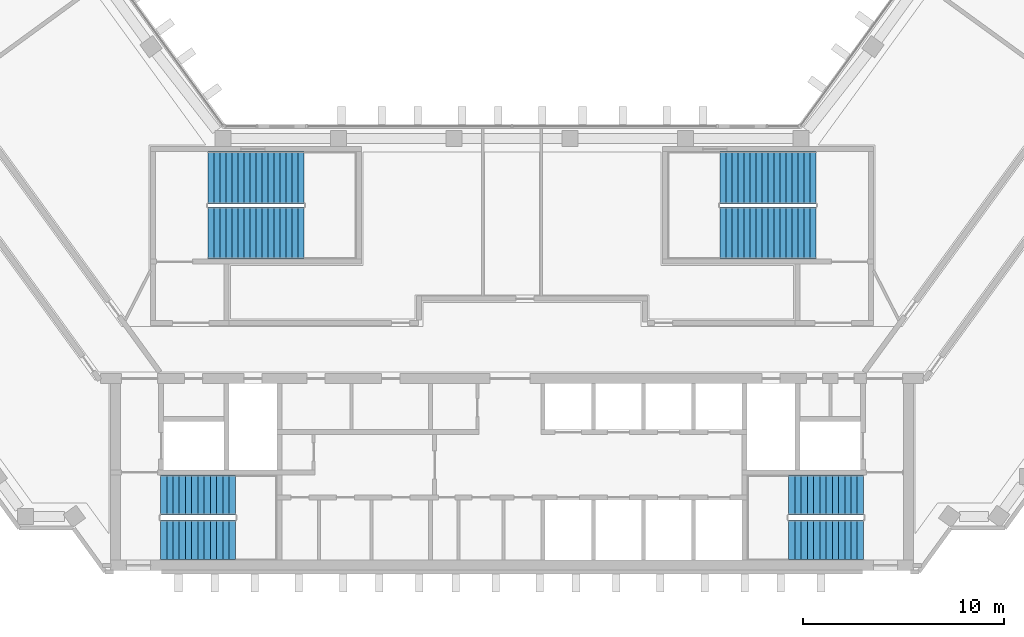
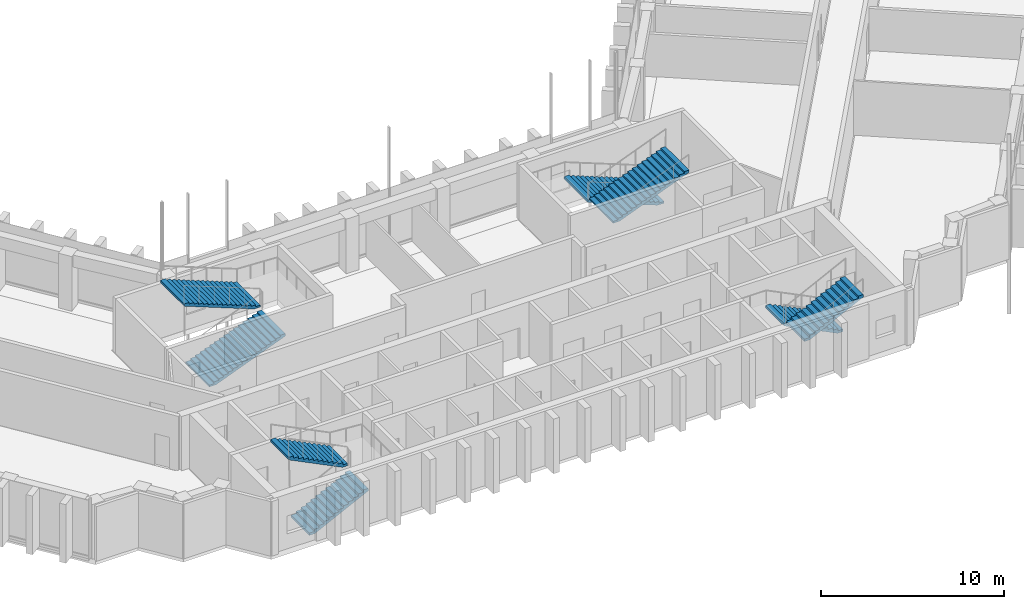
# One storey, part 11 of 13: 8 stair flights, 4 elements without a shape of their own.
"""IFC4 building model written with IfcOpenShell, lengths in metres."""

from ifc_helpers import new_model, si_unit, direction, frame, origin, place, context, subcontext, project, spatial, polyline, outline, extrude, material, type_object, element, aggregate, save


model = new_model("IFC4")

# Units and contexts
model_context = context("Model", 3, precision=1e-05, world=origin(), true_north=direction((0.0, 1.0)))
body_context = subcontext(model_context, "Body", "Model", "MODEL_VIEW")
ifc_project = project(units=[si_unit("LENGTHUNIT", "METRE"), si_unit("AREAUNIT", "SQUARE_METRE"), si_unit("VOLUMEUNIT", "CUBIC_METRE"), si_unit("PLANEANGLEUNIT", "RADIAN"), si_unit("MASSUNIT", "GRAM", prefix="KILO")], contexts=[model_context])

# Site, building, storey
site_placement = place(None, origin())
site = spatial("IfcSite", under=ifc_project, at=site_placement, CompositionType="ELEMENT")
building_placement = place(site_placement, origin())
building = spatial("IfcBuilding", under=site, at=building_placement, Name="Quipu Civic Tower", CompositionType="ELEMENT")
storey_placement = place(building_placement, frame((0.0, 0.0, 148.0)))
storey = spatial("IfcBuildingStorey", under=building, at=storey_placement, Name="L34", CompositionType="ELEMENT", Elevation=148.0)

# Stair, stair flights
ifc_material_1 = material(Name="Concrete C40/50", Category="concrete")
stair_type_1 = type_object("IfcStairType", Name="Half turn stair 2000", PredefinedType="HALF_TURN_STAIR", material=ifc_material_1)
stair_1_placement = place(storey_placement, origin())
stair_1 = element("IfcStair", 1, at=stair_1_placement, inside=storey, type_object=stair_type_1, Name="Exit stair 1", PredefinedType="HALF_TURN_STAIR")
ifc_material_2 = material(Name="Concrete C40/50", Category="concrete")
stair_flight_type_1 = type_object("IfcStairFlightType", Name="Stair flight 2000", PredefinedType="STRAIGHT", material=ifc_material_2)
stair_flight_1_placement = place(storey_placement, frame((-17.5, -9.5, 0.0), z_axis=(0.0, 0.0, 1.0), x_axis=(1.0, 0.0, 0.0)))
stair_flight_1 = element("IfcStairFlight", 2, at=stair_flight_1_placement, type_object=stair_flight_type_1, Name="ST-1 flight 1", NumberOfRisers=13, NumberOfTreads=12, PredefinedType="STRAIGHT", RiserHeight=0.153846154, TreadLength=0.31, context=body_context, shape_type="SweptSolid", body=[
    extrude(outline(polyline([(0.0, 0.0), (0.0, 0.15380859375), (0.31005859375, 0.15380859375), (0.31005859375, 0.3076171875), (0.6201171875, 0.3076171875), (0.6201171875, 0.46142578125), (0.929931640625, 0.46142578125), (0.929931640625, 0.615478515625), (1.239990234375, 0.615478515625), (1.239990234375, 0.769287109375), (1.550048828125, 0.769287109375), (1.550048828125, 0.923095703125), (1.860107421875, 0.923095703125), (1.860107421875, 1.076904296875), (2.169921875, 1.076904296875), (2.169921875, 1.230712890625), (2.47998046875, 1.230712890625), (2.47998046875, 1.384521484375), (2.7900390625, 1.384521484375), (2.7900390625, 1.53857421875), (3.10009765625, 1.53857421875), (3.10009765625, 1.6923828125), (3.409912109375, 1.6923828125), (3.409912109375, 1.84619140625), (3.719970703125, 1.84619140625), (3.719970703125, 2.0), (3.719970703125, 1.6787109375), (0.337158203125, 0.0), (0.0, 0.0)])), frame((0.0, 1.0, 0.0), z_axis=(0.0, -1.0, 0.0), x_axis=(1.0, 0.0, 0.0)), (0.0, 0.0, 1.0), 2.0),
])
stair_flight_2_placement = place(storey_placement, frame((-13.780029296875, -7.25, 2.0), z_axis=(0.0, 0.0, 1.0), x_axis=(-1.0, 0.0, 0.0)))
stair_flight_2 = element("IfcStairFlight", 3, at=stair_flight_2_placement, type_object=stair_flight_type_1, Name="ST-1 flight 2", NumberOfRisers=13, NumberOfTreads=12, PredefinedType="STRAIGHT", RiserHeight=0.153846154, TreadLength=0.31, context=body_context, shape_type="SweptSolid", body=[
    extrude(outline(polyline([(0.0, 0.0), (0.0, 0.15380859375), (0.31005859375, 0.15380859375), (0.31005859375, 0.3076171875), (0.6201171875, 0.3076171875), (0.6201171875, 0.46142578125), (0.929931640625, 0.46142578125), (0.929931640625, 0.615478515625), (1.239990234375, 0.615478515625), (1.239990234375, 0.769287109375), (1.550048828125, 0.769287109375), (1.550048828125, 0.923095703125), (1.860107421875, 0.923095703125), (1.860107421875, 1.076904296875), (2.169921875, 1.076904296875), (2.169921875, 1.230712890625), (2.47998046875, 1.230712890625), (2.47998046875, 1.384521484375), (2.7900390625, 1.384521484375), (2.7900390625, 1.53857421875), (3.10009765625, 1.53857421875), (3.10009765625, 1.6923828125), (3.409912109375, 1.6923828125), (3.409912109375, 1.84619140625), (3.719970703125, 1.84619140625), (3.719970703125, 2.0), (3.719970703125, 1.6787109375), (0.337158203125, 0.0), (0.0, 0.0)])), frame((0.0, 1.0, 0.0), z_axis=(0.0, -1.0, 0.0), x_axis=(1.0, 0.0, 0.0)), (0.0, 0.0, 1.0), 2.0),
])
aggregate(stair_1, [stair_flight_1, stair_flight_2])

stair_2_placement = place(storey_placement, origin())
stair_2 = element("IfcStair", 4, at=stair_2_placement, inside=storey, type_object=stair_type_1, Name="Exit stair 2", PredefinedType="HALF_TURN_STAIR")
stair_flight_3_placement = place(storey_placement, frame((17.5, -7.25, 0.0), z_axis=(0.0, 0.0, 1.0), x_axis=(-1.0, 0.0, 0.0)))
stair_flight_3 = element("IfcStairFlight", 5, at=stair_flight_3_placement, type_object=stair_flight_type_1, Name="ST-2 flight 1", NumberOfRisers=13, NumberOfTreads=12, PredefinedType="STRAIGHT", RiserHeight=0.153846154, TreadLength=0.31, context=body_context, shape_type="SweptSolid", body=[
    extrude(outline(polyline([(0.0, 0.0), (0.0, 0.15380859375), (0.31005859375, 0.15380859375), (0.31005859375, 0.3076171875), (0.6201171875, 0.3076171875), (0.6201171875, 0.46142578125), (0.929931640625, 0.46142578125), (0.929931640625, 0.615478515625), (1.239990234375, 0.615478515625), (1.239990234375, 0.769287109375), (1.550048828125, 0.769287109375), (1.550048828125, 0.923095703125), (1.860107421875, 0.923095703125), (1.860107421875, 1.076904296875), (2.169921875, 1.076904296875), (2.169921875, 1.230712890625), (2.47998046875, 1.230712890625), (2.47998046875, 1.384521484375), (2.7900390625, 1.384521484375), (2.7900390625, 1.53857421875), (3.10009765625, 1.53857421875), (3.10009765625, 1.6923828125), (3.409912109375, 1.6923828125), (3.409912109375, 1.84619140625), (3.719970703125, 1.84619140625), (3.719970703125, 2.0), (3.719970703125, 1.6787109375), (0.337158203125, 0.0), (0.0, 0.0)])), frame((0.0, 1.0, 0.0), z_axis=(0.0, -1.0, 0.0), x_axis=(1.0, 0.0, 0.0)), (0.0, 0.0, 1.0), 2.0),
])
stair_flight_4_placement = place(storey_placement, frame((13.780029296875, -9.5, 2.0), z_axis=(0.0, 0.0, 1.0), x_axis=(1.0, 0.0, 0.0)))
stair_flight_4 = element("IfcStairFlight", 6, at=stair_flight_4_placement, type_object=stair_flight_type_1, Name="ST-2 flight 2", NumberOfRisers=13, NumberOfTreads=12, PredefinedType="STRAIGHT", RiserHeight=0.153846154, TreadLength=0.31, context=body_context, shape_type="SweptSolid", body=[
    extrude(outline(polyline([(0.0, 0.0), (0.0, 0.15380859375), (0.31005859375, 0.15380859375), (0.31005859375, 0.3076171875), (0.6201171875, 0.3076171875), (0.6201171875, 0.46142578125), (0.929931640625, 0.46142578125), (0.929931640625, 0.615478515625), (1.239990234375, 0.615478515625), (1.239990234375, 0.769287109375), (1.550048828125, 0.769287109375), (1.550048828125, 0.923095703125), (1.860107421875, 0.923095703125), (1.860107421875, 1.076904296875), (2.169921875, 1.076904296875), (2.169921875, 1.230712890625), (2.47998046875, 1.230712890625), (2.47998046875, 1.384521484375), (2.7900390625, 1.384521484375), (2.7900390625, 1.53857421875), (3.10009765625, 1.53857421875), (3.10009765625, 1.6923828125), (3.409912109375, 1.6923828125), (3.409912109375, 1.84619140625), (3.719970703125, 1.84619140625), (3.719970703125, 2.0), (3.719970703125, 1.6787109375), (0.337158203125, 0.0), (0.0, 0.0)])), frame((0.0, 1.0, 0.0), z_axis=(0.0, -1.0, 0.0), x_axis=(1.0, 0.0, 0.0)), (0.0, 0.0, 1.0), 2.0),
])
aggregate(stair_2, [stair_flight_3, stair_flight_4])

ifc_material_3 = material(Name="Concrete C40/50", Category="concrete")
stair_type_2 = type_object("IfcStairType", Name="Half turn stair 2600", PredefinedType="HALF_TURN_STAIR", material=ifc_material_3)
stair_3_placement = place(storey_placement, origin())
stair_3 = element("IfcStair", 7, at=stair_3_placement, inside=storey, type_object=stair_type_2, Name="Exit stair 3", PredefinedType="HALF_TURN_STAIR")
ifc_material_4 = material(Name="Concrete C40/50", Category="concrete")
stair_flight_type_2 = type_object("IfcStairFlightType", Name="Stair flight 2600", PredefinedType="STRAIGHT", material=ifc_material_4)
stair_flight_5_placement = place(storey_placement, frame((-15.14990234375, 5.800048828125, 0.0), z_axis=(0.0, 0.0, 1.0), x_axis=(1.0, 0.0, 0.0)))
stair_flight_5 = element("IfcStairFlight", 8, at=stair_flight_5_placement, type_object=stair_flight_type_2, Name="ST-3 flight 1", NumberOfRisers=17, NumberOfTreads=16, PredefinedType="STRAIGHT", RiserHeight=0.117647059, TreadLength=0.3, context=body_context, shape_type="SweptSolid", body=[
    extrude(outline(polyline([(0.0, 0.0), (0.0, 0.11767578125), (0.300048828125, 0.11767578125), (0.300048828125, 0.2353515625), (0.60009765625, 0.2353515625), (0.60009765625, 0.35302734375), (0.89990234375, 0.35302734375), (0.89990234375, 0.470703125), (1.199951171875, 0.470703125), (1.199951171875, 0.588134765625), (1.5, 0.588134765625), (1.5, 0.705810546875), (1.800048828125, 0.705810546875), (1.800048828125, 0.823486328125), (2.10009765625, 0.823486328125), (2.10009765625, 0.941162109375), (2.39990234375, 0.941162109375), (2.39990234375, 1.058837890625), (2.699951171875, 1.058837890625), (2.699951171875, 1.176513671875), (3.0, 1.176513671875), (3.0, 1.294189453125), (3.300048828125, 1.294189453125), (3.300048828125, 1.411865234375), (3.60009765625, 1.411865234375), (3.60009765625, 1.529296875), (3.89990234375, 1.529296875), (3.89990234375, 1.64697265625), (4.199951171875, 1.64697265625), (4.199951171875, 1.7646484375), (4.5, 1.7646484375), (4.5, 1.88232421875), (4.800048828125, 1.88232421875), (4.800048828125, 2.0), (4.800048828125, 1.721435546875), (0.41064453125, 0.0), (0.0, 0.0)])), frame((0.0, 1.300048828125, 0.0), z_axis=(0.0, -1.0, 0.0), x_axis=(1.0, 0.0, 0.0)), (0.0, 0.0, 1.0), 2.60009765625),
])
stair_flight_6_placement = place(storey_placement, frame((-10.35009765625, 8.550048828125, 2.0), z_axis=(0.0, 0.0, 1.0), x_axis=(-1.0, 0.0, 0.0)))
stair_flight_6 = element("IfcStairFlight", 9, at=stair_flight_6_placement, type_object=stair_flight_type_2, Name="ST-3 flight 2", NumberOfRisers=17, NumberOfTreads=16, PredefinedType="STRAIGHT", RiserHeight=0.117647059, TreadLength=0.3, context=body_context, shape_type="SweptSolid", body=[
    extrude(outline(polyline([(0.0, 0.0), (0.0, 0.11767578125), (0.300048828125, 0.11767578125), (0.300048828125, 0.2353515625), (0.60009765625, 0.2353515625), (0.60009765625, 0.35302734375), (0.89990234375, 0.35302734375), (0.89990234375, 0.470703125), (1.199951171875, 0.470703125), (1.199951171875, 0.588134765625), (1.5, 0.588134765625), (1.5, 0.705810546875), (1.800048828125, 0.705810546875), (1.800048828125, 0.823486328125), (2.10009765625, 0.823486328125), (2.10009765625, 0.941162109375), (2.39990234375, 0.941162109375), (2.39990234375, 1.058837890625), (2.699951171875, 1.058837890625), (2.699951171875, 1.176513671875), (3.0, 1.176513671875), (3.0, 1.294189453125), (3.300048828125, 1.294189453125), (3.300048828125, 1.411865234375), (3.60009765625, 1.411865234375), (3.60009765625, 1.529296875), (3.89990234375, 1.529296875), (3.89990234375, 1.64697265625), (4.199951171875, 1.64697265625), (4.199951171875, 1.7646484375), (4.5, 1.7646484375), (4.5, 1.88232421875), (4.800048828125, 1.88232421875), (4.800048828125, 2.0), (4.800048828125, 1.721435546875), (0.41064453125, 0.0), (0.0, 0.0)])), frame((0.0, 1.300048828125, 0.0), z_axis=(0.0, -1.0, 0.0), x_axis=(1.0, 0.0, 0.0)), (0.0, 0.0, 1.0), 2.60009765625),
])
aggregate(stair_3, [stair_flight_5, stair_flight_6])

stair_4_placement = place(storey_placement, origin())
stair_4 = element("IfcStair", 10, at=stair_4_placement, inside=storey, type_object=stair_type_2, Name="Exit stair 4", PredefinedType="HALF_TURN_STAIR")
stair_flight_7_placement = place(storey_placement, frame((15.14990234375, 8.550048828125, 0.0), z_axis=(0.0, 0.0, 1.0), x_axis=(-1.0, 0.0, 0.0)))
stair_flight_7 = element("IfcStairFlight", 11, at=stair_flight_7_placement, type_object=stair_flight_type_2, Name="ST-4 flight 1", NumberOfRisers=17, NumberOfTreads=16, PredefinedType="STRAIGHT", RiserHeight=0.117647059, TreadLength=0.3, context=body_context, shape_type="SweptSolid", body=[
    extrude(outline(polyline([(0.0, 0.0), (0.0, 0.11767578125), (0.300048828125, 0.11767578125), (0.300048828125, 0.2353515625), (0.60009765625, 0.2353515625), (0.60009765625, 0.35302734375), (0.89990234375, 0.35302734375), (0.89990234375, 0.470703125), (1.199951171875, 0.470703125), (1.199951171875, 0.588134765625), (1.5, 0.588134765625), (1.5, 0.705810546875), (1.800048828125, 0.705810546875), (1.800048828125, 0.823486328125), (2.10009765625, 0.823486328125), (2.10009765625, 0.941162109375), (2.39990234375, 0.941162109375), (2.39990234375, 1.058837890625), (2.699951171875, 1.058837890625), (2.699951171875, 1.176513671875), (3.0, 1.176513671875), (3.0, 1.294189453125), (3.300048828125, 1.294189453125), (3.300048828125, 1.411865234375), (3.60009765625, 1.411865234375), (3.60009765625, 1.529296875), (3.89990234375, 1.529296875), (3.89990234375, 1.64697265625), (4.199951171875, 1.64697265625), (4.199951171875, 1.7646484375), (4.5, 1.7646484375), (4.5, 1.88232421875), (4.800048828125, 1.88232421875), (4.800048828125, 2.0), (4.800048828125, 1.721435546875), (0.41064453125, 0.0), (0.0, 0.0)])), frame((0.0, 1.300048828125, 0.0), z_axis=(0.0, -1.0, 0.0), x_axis=(1.0, 0.0, 0.0)), (0.0, 0.0, 1.0), 2.60009765625),
])
stair_flight_8_placement = place(storey_placement, frame((10.35009765625, 5.800048828125, 2.0), z_axis=(0.0, 0.0, 1.0), x_axis=(1.0, 0.0, 0.0)))
stair_flight_8 = element("IfcStairFlight", 12, at=stair_flight_8_placement, type_object=stair_flight_type_2, Name="ST-4 flight 2", NumberOfRisers=17, NumberOfTreads=16, PredefinedType="STRAIGHT", RiserHeight=0.117647059, TreadLength=0.3, context=body_context, shape_type="SweptSolid", body=[
    extrude(outline(polyline([(0.0, 0.0), (0.0, 0.11767578125), (0.300048828125, 0.11767578125), (0.300048828125, 0.2353515625), (0.60009765625, 0.2353515625), (0.60009765625, 0.35302734375), (0.89990234375, 0.35302734375), (0.89990234375, 0.470703125), (1.199951171875, 0.470703125), (1.199951171875, 0.588134765625), (1.5, 0.588134765625), (1.5, 0.705810546875), (1.800048828125, 0.705810546875), (1.800048828125, 0.823486328125), (2.10009765625, 0.823486328125), (2.10009765625, 0.941162109375), (2.39990234375, 0.941162109375), (2.39990234375, 1.058837890625), (2.699951171875, 1.058837890625), (2.699951171875, 1.176513671875), (3.0, 1.176513671875), (3.0, 1.294189453125), (3.300048828125, 1.294189453125), (3.300048828125, 1.411865234375), (3.60009765625, 1.411865234375), (3.60009765625, 1.529296875), (3.89990234375, 1.529296875), (3.89990234375, 1.64697265625), (4.199951171875, 1.64697265625), (4.199951171875, 1.7646484375), (4.5, 1.7646484375), (4.5, 1.88232421875), (4.800048828125, 1.88232421875), (4.800048828125, 2.0), (4.800048828125, 1.721435546875), (0.41064453125, 0.0), (0.0, 0.0)])), frame((0.0, 1.300048828125, 0.0), z_axis=(0.0, -1.0, 0.0), x_axis=(1.0, 0.0, 0.0)), (0.0, 0.0, 1.0), 2.60009765625),
])
aggregate(stair_4, [stair_flight_7, stair_flight_8])

save(model, "model.ifc")
